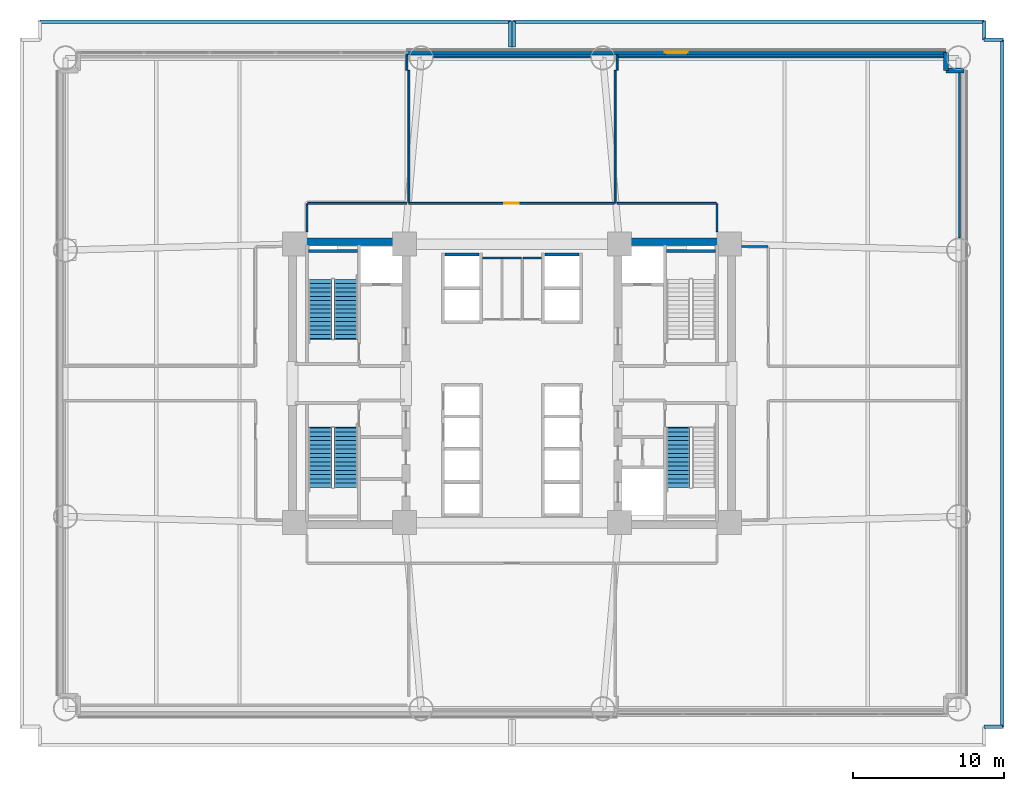
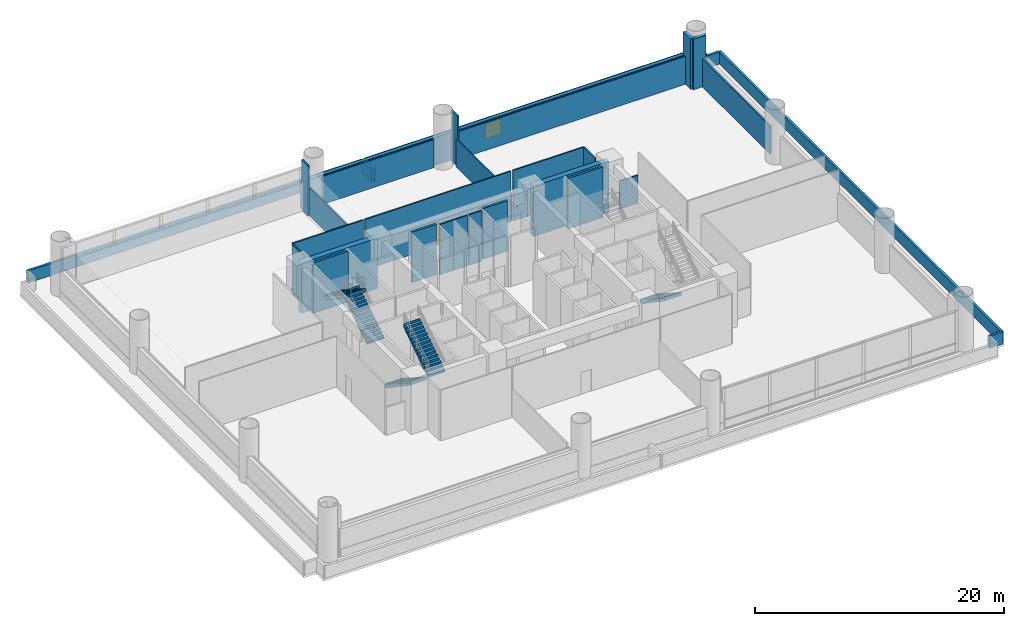
# One storey, part 8 of 12: 33 walls, 5 stair flights, 1 door, 1 window, 2 openings, 3 elements without a shape of their own.
"""IFC4 building model written with IfcOpenShell, lengths in metres."""

from ifc_helpers import new_model, si_unit, direction, frame, frame_2d, origin, place, context, subcontext, project, spatial, polyline, rectangle, outline, extrude, source, transform, mapped, material, layer, layer_set, type_object, element, fill, aggregate, save


model = new_model("IFC4")

# Units and contexts
model_context = context("Model", 3, precision=1e-05, world=origin(), true_north=direction((0.0, 1.0)))
body_context = subcontext(model_context, "Body", "Model", "MODEL_VIEW")
ifc_project = project(units=[si_unit("LENGTHUNIT", "METRE"), si_unit("AREAUNIT", "SQUARE_METRE"), si_unit("VOLUMEUNIT", "CUBIC_METRE"), si_unit("PLANEANGLEUNIT", "RADIAN"), si_unit("MASSUNIT", "GRAM", prefix="KILO")], contexts=[model_context])

# Site, building, storey
site_placement = place(None, origin())
site = spatial("IfcSite", under=ifc_project, at=site_placement, CompositionType="ELEMENT")
building_placement = place(site_placement, origin())
building = spatial("IfcBuilding", under=site, at=building_placement, Name="Zahravan Cultural Tower", CompositionType="ELEMENT")
storey_placement = place(building_placement, frame((0.0, 0.0, 18.0)))
storey = spatial("IfcBuildingStorey", under=building, at=storey_placement, Name="L03", CompositionType="ELEMENT", Elevation=18.0)

# Wall, opening, window
ifc_material_1 = material(Name="Precast concrete C40/50", Category="concrete")
ifc_layer_1 = layer(ifc_material_1, 0.320068359375)
ifc_layer_set_1 = layer_set([ifc_layer_1], Name="Precast concrete C40/50")
wall_type_1 = type_object("IfcWallType", Name="EW-TC-320", PredefinedType="SOLIDWALL", material=ifc_layer_set_1)
wall_1_placement = place(storey_placement, frame((29.034912109375, 48.860107421875, 0.0), z_axis=(0.0, 0.0, 1.0), x_axis=(1.0, 0.0, 0.0)))
wall_1 = element("IfcWall", 1, at=wall_1_placement, inside=storey, type_object=wall_type_1, Name="L03 Exterior Masonry Frame Wall 10", PredefinedType="SOLIDWALL", context=body_context, shape_type="SweptSolid", body=[
    extrude(rectangle(XDim=35.625, YDim=0.320068359375, at=frame_2d((17.8125, 0.0))), origin(), (0.0, 0.0, 1.0), 2.741943359375),
])
opening_1_placement = place(wall_1_placement, frame((17.06201171875, 0.0, 0.85009765625)))
opening_1 = element("IfcOpeningElement", 2, at=opening_1_placement, cuts=wall_1, Name="Opening WN-03", PredefinedType="OPENING", context=body_context, shape_type="SweptSolid", body=[
    extrude(rectangle(XDim=1.5, YDim=1.5, at=frame_2d((0.75, 0.75))), frame((0.0, 0.169921875, 0.0), z_axis=(0.0, -1.0, 0.0), x_axis=(1.0, 0.0, 0.0)), (0.0, 0.0, 1.0), 0.340087890625),
])
ifc_material_2 = material(Name="Low-E solar-control double glazing", Category="glass")
window_type = type_object("IfcWindowType", Name="WN-REC-1500X1500", PartitioningType="SINGLE_PANEL", PredefinedType="WINDOW", material=ifc_material_2)
shared_shape_1 = source(origin(), body_context, "Body", "SweptSolid", [
    extrude(rectangle(XDim=1.5, YDim=1.5, at=frame_2d((0.75, 0.75))), frame((0.0, 0.030029296875, 0.0), z_axis=(0.0, -1.0, 0.0), x_axis=(1.0, 0.0, 0.0)), (0.0, 0.0, 1.0), 0.06005859375),
])
window_placement = place(opening_1_placement, origin())
window = element("IfcWindow", 3, at=window_placement, inside=storey, type_object=window_type, Name="L03 Recessed Solar Window 01", OverallHeight=1.5, OverallWidth=1.5, PartitioningType="SINGLE_PANEL", PredefinedType="WINDOW", context=body_context, shape_type="MappedRepresentation", body=[
    mapped(shared_shape_1, transform((0.0, 0.0, 0.0), x_axis=(1.0, 0.0, 0.0), y_axis=(0.0, 1.0, 0.0), z_axis=(0.0, 0.0, 1.0), scale=1.0)),
])
fill(opening_1, window)

# Wall, opening, door
ifc_material_3 = material(Name="Gypsum plasterboard partition")
ifc_layer_2 = layer(ifc_material_3, 0.125)
ifc_layer_set_2 = layer_set([ifc_layer_2], Name="Gypsum plasterboard partition")
wall_type_2 = type_object("IfcWallType", Name="W-PART-125", PredefinedType="PARTITIONING", material=ifc_layer_set_2)
wall_2_placement = place(storey_placement, frame((42.742431640625, 38.889892578125, 0.0), z_axis=(0.0, 0.0, 1.0), x_axis=(-1.0, 0.0, 0.0)))
wall_2 = element("IfcWall", 4, at=wall_2_placement, inside=storey, type_object=wall_type_2, Name="L03 Interior Wall 081", PredefinedType="PARTITIONING", context=body_context, shape_type="SweptSolid", body=[
    extrude(rectangle(XDim=13.552490234375, YDim=0.125, at=frame_2d((6.7763671875, 0.0))), origin(), (0.0, 0.0, 1.0), 4.949951171875),
])
opening_2_placement = place(wall_2_placement, frame((6.30126953125, 0.0, 0.0)))
opening_2 = element("IfcOpeningElement", 5, at=opening_2_placement, cuts=wall_2, Name="Opening D-L03-21", PredefinedType="OPENING", context=body_context, shape_type="SweptSolid", body=[
    extrude(rectangle(XDim=0.949951171875, YDim=2.14990234375, at=frame_2d((0.47509765625, 1.074951171875))), frame((0.0, 0.072509765625, 0.0), z_axis=(0.0, -1.0, 0.0), x_axis=(1.0, 0.0, 0.0)), (0.0, 0.0, 1.0), 0.14501953125),
])
ifc_material_4 = material(Name="Anodised bronze-aluminium mullion", Category="aluminium")
door_type = type_object("IfcDoorType", Name="DR-ROOM-950", OperationType="NOTDEFINED", PredefinedType="DOOR", material=ifc_material_4)
shared_shape_2 = source(origin(), body_context, "Body", "SweptSolid", [
    extrude(rectangle(XDim=0.949951171875, YDim=2.14990234375, at=frame_2d((0.47509765625, 1.074951171875))), frame((0.0, 0.02490234375, 0.0), z_axis=(0.0, -1.0, 0.0), x_axis=(1.0, 0.0, 0.0)), (0.0, 0.0, 1.0), 0.050048828125),
])
door_placement = place(opening_2_placement, origin())
door = element("IfcDoor", 6, at=door_placement, inside=storey, type_object=door_type, Name="L03 Door D-L03-21", OperationType="SINGLE_SWING_LEFT", OverallHeight=2.14990234375, OverallWidth=0.949951171875, PredefinedType="DOOR", context=body_context, shape_type="MappedRepresentation", body=[
    mapped(shared_shape_2, transform((0.0, 0.0, 0.0), x_axis=(1.0, 0.0, 0.0), y_axis=(0.0, 1.0, 0.0), z_axis=(0.0, 0.0, 1.0), scale=1.0)),
])
fill(opening_2, door)

# Walls
ifc_material_5 = material(Name="Concrete C60/75", Category="concrete")
ifc_layer_3 = layer(ifc_material_5, 0.5)
ifc_layer_set_3 = layer_set([ifc_layer_3], Name="Concrete C60/75")
wall_type_3 = type_object("IfcWallType", Name="CW-SHEAR-500-C60", PredefinedType="SHEAR", material=ifc_layer_set_3)
shared_shape_3 = source(origin(), body_context, "Body", "SweptSolid", [
    extrude(rectangle(XDim=7.0, YDim=0.5, at=frame_2d((3.5, 0.0))), origin(), (0.0, 0.0, 1.0), 4.949951171875),
])
for number, where, z_axis, x_axis, name in (
    (7, (21.75, 36.35009765625, 0.0), (0.0, 0.0, 1.0), (1.0, 0.0, 0.0), "L03 Core Shear Wall CW-W-N-L03"),
    (8, (43.25, 36.35009765625, 0.0), (0.0, 0.0, 1.0), (1.0, 0.0, 0.0), "L03 Core Shear Wall CW-E-N-L03"),
):
    element("IfcWall", number, at=place(storey_placement, frame(where, z_axis=z_axis, x_axis=x_axis)), inside=storey, type_object=wall_type_3, Name=name, PredefinedType="SHEAR", context=body_context, shape_type="MappedRepresentation", body=[
        mapped(shared_shape_3, transform((0.0, 0.0, 0.0), x_axis=(1.0, 0.0, 0.0), y_axis=(0.0, 1.0, 0.0), z_axis=(0.0, 0.0, 1.0), scale=1.0)),
    ])
ifc_layer_4 = layer(ifc_material_1, 0.219970703125)
ifc_layer_set_4 = layer_set([ifc_layer_4], Name="Precast concrete C40/50")
wall_type_4 = type_object("IfcWallType", Name="EW-PARAPET-220", PredefinedType="PARAPET", material=ifc_layer_set_4)
shared_shape_4 = source(origin(), body_context, "Body", "SweptSolid", [
    extrude(rectangle(XDim=31.079833984375, YDim=0.219970703125, at=frame_2d((15.5400390625, 0.0))), origin(), (0.0, 0.0, 1.0), 1.199951171875),
])
for number, where, z_axis, x_axis, name in (
    (9, (4.81005859375, 50.889892578125, 0.0), (0.0, 0.0, 1.0), (1.0, 0.0, 0.0), "L03 Setback Roof Parapet 7"),
    (10, (36.110107421875, 50.889892578125, 0.0), (0.0, 0.0, 1.0), (1.0, 0.0, 0.0), "L03 Setback Roof Parapet 4"),
):
    element("IfcWall", number, at=place(storey_placement, frame(where, z_axis=z_axis, x_axis=x_axis)), inside=storey, type_object=wall_type_4, Name=name, PredefinedType="PARAPET", context=body_context, shape_type="MappedRepresentation", body=[
        mapped(shared_shape_4, transform((0.0, 0.0, 0.0), x_axis=(1.0, 0.0, 0.0), y_axis=(0.0, 1.0, 0.0), z_axis=(0.0, 0.0, 1.0), scale=1.0)),
    ])
shared_shape_5 = source(origin(), body_context, "Body", "SweptSolid", [
    extrude(rectangle(XDim=1.199951171875, YDim=0.219970703125, at=frame_2d((0.60009765625, 0.0))), origin(), (0.0, 0.0, 1.0), 1.199951171875),
])
for number, where, z_axis, x_axis, name in (
    (11, (67.18994140625, 50.889892578125, 0.0), (0.0, 0.0, 1.0), (0.0, -1.0, 0.0), "L03 Setback Roof Parapet 5"),
    (12, (67.18994140625, 49.68994140625, 0.0), (0.0, 0.0, 1.0), (1.0, 0.0, 0.0), "L03 Setback Roof Parapet 6"),
    (13, (68.389892578125, 4.31005859375, 0.0), (0.0, 0.0, 1.0), (-1.0, 0.0, 0.0), "L03 Setback Roof Parapet 8"),
):
    element("IfcWall", number, at=place(storey_placement, frame(where, z_axis=z_axis, x_axis=x_axis)), inside=storey, type_object=wall_type_4, Name=name, PredefinedType="PARAPET", context=body_context, shape_type="MappedRepresentation", body=[
        mapped(shared_shape_5, transform((0.0, 0.0, 0.0), x_axis=(1.0, 0.0, 0.0), y_axis=(0.0, 1.0, 0.0), z_axis=(0.0, 0.0, 1.0), scale=1.0)),
    ])
shared_shape_6 = source(origin(), body_context, "Body", "SweptSolid", [
    extrude(rectangle(XDim=45.3798828125, YDim=0.219970703125, at=frame_2d((22.68994140625, 0.0))), origin(), (0.0, 0.0, 1.0), 1.199951171875),
])
wall_3_placement = place(storey_placement, frame((68.389892578125, 49.68994140625, 0.0), z_axis=(0.0, 0.0, 1.0), x_axis=(0.0, -1.0, 0.0)))
element("IfcWall", 14, at=wall_3_placement, inside=storey, type_object=wall_type_4, Name="L03 Setback Roof Parapet 7", PredefinedType="PARAPET", context=body_context, shape_type="MappedRepresentation", body=[
    mapped(shared_shape_6, transform((0.0, 0.0, 0.0), x_axis=(1.0, 0.0, 0.0), y_axis=(0.0, 1.0, 0.0), z_axis=(0.0, 0.0, 1.0), scale=1.0)),
])
shared_shape_7 = source(origin(), body_context, "Body", "SweptSolid", [
    extrude(rectangle(XDim=1.669921875, YDim=0.219970703125, at=frame_2d((0.8349609375, 0.0))), origin(), (0.0, 0.0, 1.0), 1.199951171875),
])
for number, where, z_axis, x_axis, name in (
    (15, (35.889892578125, 50.889892578125, 0.0), (0.0, 0.0, 1.0), (0.0, -1.0, 0.0), "L03 Setback Roof Parapet 8"),
    (16, (36.110107421875, 49.219970703125, 0.0), (0.0, 0.0, 1.0), (0.0, 1.0, 0.0), "L03 Setback Roof Parapet 3"),
):
    element("IfcWall", number, at=place(storey_placement, frame(where, z_axis=z_axis, x_axis=x_axis)), inside=storey, type_object=wall_type_4, Name=name, PredefinedType="PARAPET", context=body_context, shape_type="MappedRepresentation", body=[
        mapped(shared_shape_7, transform((0.0, 0.0, 0.0), x_axis=(1.0, 0.0, 0.0), y_axis=(0.0, 1.0, 0.0), z_axis=(0.0, 0.0, 1.0), scale=1.0)),
    ])
shared_shape_8 = source(origin(), body_context, "Body", "SweptSolid", [
    extrude(rectangle(XDim=1.2001953125, YDim=0.320068359375, at=frame_2d((0.60009765625, 0.0))), origin(), (0.0, 0.0, 1.0), 4.949951171875),
])
for number, where, z_axis, x_axis, name in (
    (17, (64.659912109375, 48.860107421875, 0.0), (0.0, 0.0, 1.0), (0.0, -1.0, 0.0), "L03 Exterior Masonry Frame Wall 11"),
    (18, (64.659912109375, 47.659912109375, 0.0), (0.0, 0.0, 1.0), (1.0, 0.0, 0.0), "L03 Exterior Masonry Frame Wall 12"),
):
    element("IfcWall", number, at=place(storey_placement, frame(where, z_axis=z_axis, x_axis=x_axis)), inside=storey, type_object=wall_type_1, Name=name, PredefinedType="SOLIDWALL", context=body_context, shape_type="MappedRepresentation", body=[
        mapped(shared_shape_8, transform((0.0, 0.0, 0.0), x_axis=(1.0, 0.0, 0.0), y_axis=(0.0, 1.0, 0.0), z_axis=(0.0, 0.0, 1.0), scale=1.0)),
    ])
ifc_material_6 = material(Name="Concrete C45/55", Category="concrete")
ifc_layer_5 = layer(ifc_material_6, 0.199951171875)
ifc_layer_set_5 = layer_set([ifc_layer_5], Name="Concrete C45/55")
wall_type_5 = type_object("IfcWallType", Name="W-SHAFT-200", PredefinedType="SOLIDWALL", material=ifc_layer_set_5)
shared_shape_9 = source(origin(), body_context, "Body", "SweptSolid", [
    extrude(rectangle(XDim=3.25, YDim=0.199951171875, at=frame_2d((1.625, 0.0))), origin(), (0.0, 0.0, 1.0), 4.949951171875),
])
for number, where, z_axis, x_axis, name in (
    (19, (22.550048828125, 35.75, 0.0), (0.0, 0.0, 1.0), (1.0, 0.0, 0.0), "L03 Interior Wall 017"),
    (20, (46.199951171875, 35.75, 0.0), (0.0, 0.0, 1.0), (1.0, 0.0, 0.0), "L03 Interior Wall 018"),
):
    element("IfcWall", number, at=place(storey_placement, frame(where, z_axis=z_axis, x_axis=x_axis)), inside=storey, type_object=wall_type_5, Name=name, PredefinedType="SOLIDWALL", context=body_context, shape_type="MappedRepresentation", body=[
        mapped(shared_shape_9, transform((0.0, 0.0, 0.0), x_axis=(1.0, 0.0, 0.0), y_axis=(0.0, 1.0, 0.0), z_axis=(0.0, 0.0, 1.0), scale=1.0)),
    ])
shared_shape_10 = source(origin(), body_context, "Body", "SweptSolid", [
    extrude(rectangle(XDim=2.260009765625, YDim=0.199951171875, at=frame_2d((1.1298828125, 0.0))), origin(), (0.0, 0.0, 1.0), 4.949951171875),
])
for number, where, z_axis, x_axis, name in (
    (21, (31.570068359375, 35.5, 0.0), (0.0, 0.0, 1.0), (1.0, 0.0, 0.0), "L03 Interior Wall 031"),
    (22, (38.169921875, 35.5, 0.0), (0.0, 0.0, 1.0), (1.0, 0.0, 0.0), "L03 Interior Wall 038"),
):
    element("IfcWall", number, at=place(storey_placement, frame(where, z_axis=z_axis, x_axis=x_axis)), inside=storey, type_object=wall_type_5, Name=name, PredefinedType="SOLIDWALL", context=body_context, shape_type="MappedRepresentation", body=[
        mapped(shared_shape_10, transform((0.0, 0.0, 0.0), x_axis=(1.0, 0.0, 0.0), y_axis=(0.0, 1.0, 0.0), z_axis=(0.0, 0.0, 1.0), scale=1.0)),
    ])
ifc_layer_6 = layer(ifc_material_3, 0.114990234375)
ifc_layer_set_6 = layer_set([ifc_layer_6], Name="Gypsum plasterboard partition")
wall_type_6 = type_object("IfcWallType", Name="W-WC-115", PredefinedType="PARTITIONING", material=ifc_layer_set_6)
shared_shape_11 = source(origin(), body_context, "Body", "SweptSolid", [
    extrude(rectangle(XDim=1.20263671875, YDim=0.114990234375, at=frame_2d((0.601318359375, 0.0))), origin(), (0.0, 0.0, 1.0), 4.949951171875),
])
wall_4_placement = place(storey_placement, frame((36.742431640625, 35.280029296875, 0.0), z_axis=(0.0, 0.0, 1.0), x_axis=(1.0, 0.0, 0.0)))
element("IfcWall", 23, at=wall_4_placement, inside=storey, type_object=wall_type_6, Name="L03 Interior Wall 069", PredefinedType="PARTITIONING", context=body_context, shape_type="MappedRepresentation", body=[
    mapped(shared_shape_11, transform((0.0, 0.0, 0.0), x_axis=(1.0, 0.0, 0.0), y_axis=(0.0, 1.0, 0.0), z_axis=(0.0, 0.0, 1.0), scale=1.0)),
])
shared_shape_12 = source(origin(), body_context, "Body", "SweptSolid", [
    extrude(rectangle(XDim=1.28515625, YDim=0.114990234375, at=frame_2d((0.642578125, 0.0))), origin(), (0.0, 0.0, 1.0), 4.949951171875),
])
wall_5_placement = place(storey_placement, frame((34.054931640625, 35.280029296875, 0.0), z_axis=(0.0, 0.0, 1.0), x_axis=(1.0, 0.0, 0.0)))
element("IfcWall", 24, at=wall_5_placement, inside=storey, type_object=wall_type_6, Name="L03 Interior Wall 071", PredefinedType="PARTITIONING", context=body_context, shape_type="MappedRepresentation", body=[
    mapped(shared_shape_12, transform((0.0, 0.0, 0.0), x_axis=(1.0, 0.0, 0.0), y_axis=(0.0, 1.0, 0.0), z_axis=(0.0, 0.0, 1.0), scale=1.0)),
])
shared_shape_13 = source(origin(), body_context, "Body", "SweptSolid", [
    extrude(rectangle(XDim=1.27734375, YDim=0.114990234375, at=frame_2d((0.638671875, 0.0))), origin(), (0.0, 0.0, 1.0), 4.949951171875),
])
wall_6_placement = place(storey_placement, frame((35.340087890625, 35.280029296875, 0.0), z_axis=(0.0, 0.0, 1.0), x_axis=(1.0, 0.0, 0.0)))
element("IfcWall", 25, at=wall_6_placement, inside=storey, type_object=wall_type_6, Name="L03 Interior Wall 074", PredefinedType="PARTITIONING", context=body_context, shape_type="MappedRepresentation", body=[
    mapped(shared_shape_13, transform((0.0, 0.0, 0.0), x_axis=(1.0, 0.0, 0.0), y_axis=(0.0, 1.0, 0.0), z_axis=(0.0, 0.0, 1.0), scale=1.0)),
])
shared_shape_14 = source(origin(), body_context, "Body", "SweptSolid", [
    extrude(rectangle(XDim=10.35986328125, YDim=0.125, at=frame_2d((5.179931640625, 0.0))), origin(), (0.0, 0.0, 1.0), 2.741943359375),
])
wall_7_placement = place(storey_placement, frame((30.820068359375, 48.56005859375, 0.0), z_axis=(0.0, 0.0, 1.0), x_axis=(1.0, 0.0, 0.0)))
element("IfcWall", 26, at=wall_7_placement, inside=storey, type_object=wall_type_2, Name="L03 Interior Wall 083", PredefinedType="PARTITIONING", context=body_context, shape_type="MappedRepresentation", body=[
    mapped(shared_shape_14, transform((0.0, 0.0, 0.0), x_axis=(1.0, 0.0, 0.0), y_axis=(0.0, 1.0, 0.0), z_axis=(0.0, 0.0, 1.0), scale=1.0)),
])
shared_shape_15 = source(origin(), body_context, "Body", "SweptSolid", [
    extrude(rectangle(XDim=8.7900390625, YDim=0.125, at=frame_2d((4.39501953125, 0.0))), origin(), (0.0, 0.0, 1.0), 2.741943359375),
])
wall_8_placement = place(storey_placement, frame((42.81005859375, 47.679931640625, 0.0), z_axis=(0.0, 0.0, 1.0), x_axis=(0.0, -1.0, 0.0)))
element("IfcWall", 27, at=wall_8_placement, inside=storey, type_object=wall_type_2, Name="L03 Interior Wall 080", PredefinedType="PARTITIONING", context=body_context, shape_type="MappedRepresentation", body=[
    mapped(shared_shape_15, transform((0.0, 0.0, 0.0), x_axis=(1.0, 0.0, 0.0), y_axis=(0.0, 1.0, 0.0), z_axis=(0.0, 0.0, 1.0), scale=1.0)),
])
shared_shape_16 = source(origin(), body_context, "Body", "SweptSolid", [
    extrude(rectangle(XDim=8.722412109375, YDim=0.125, at=frame_2d((4.361328125, 0.0))), origin(), (0.0, 0.0, 1.0), 2.741943359375),
])
wall_9_placement = place(storey_placement, frame((29.18994140625, 38.95751953125, 0.0), z_axis=(0.0, 0.0, 1.0), x_axis=(0.0, 1.0, 0.0)))
element("IfcWall", 28, at=wall_9_placement, inside=storey, type_object=wall_type_2, Name="L03 Interior Wall 082", PredefinedType="PARTITIONING", context=body_context, shape_type="MappedRepresentation", body=[
    mapped(shared_shape_16, transform((0.0, 0.0, 0.0), x_axis=(1.0, 0.0, 0.0), y_axis=(0.0, 1.0, 0.0), z_axis=(0.0, 0.0, 1.0), scale=1.0)),
])
shared_shape_17 = source(origin(), body_context, "Body", "SweptSolid", [
    extrude(rectangle(XDim=10.875, YDim=0.125, at=frame_2d((5.4375, 0.0))), origin(), (0.0, 0.0, 1.0), 2.741943359375),
])
wall_10_placement = place(storey_placement, frame((65.56005859375, 47.4951171875, 0.0), z_axis=(0.0, 0.0, 1.0), x_axis=(0.0, -1.0, 0.0)))
element("IfcWall", 29, at=wall_10_placement, inside=storey, type_object=wall_type_2, Name="L03 Interior Wall 117", PredefinedType="PARTITIONING", context=body_context, shape_type="MappedRepresentation", body=[
    mapped(shared_shape_17, transform((0.0, 0.0, 0.0), x_axis=(1.0, 0.0, 0.0), y_axis=(0.0, 1.0, 0.0), z_axis=(0.0, 0.0, 1.0), scale=1.0)),
])
shared_shape_18 = source(origin(), body_context, "Body", "SweptSolid", [
    extrude(rectangle(XDim=6.55419921875, YDim=0.125, at=frame_2d((3.277099609375, 0.0))), origin(), (0.0, 0.0, 1.0), 4.949951171875),
])
wall_11_placement = place(storey_placement, frame((49.494140625, 38.889892578125, 0.0), z_axis=(0.0, 0.0, 1.0), x_axis=(-1.0, 0.0, 0.0)))
element("IfcWall", 30, at=wall_11_placement, inside=storey, type_object=wall_type_2, Name="L03 Interior Wall 114", PredefinedType="PARTITIONING", context=body_context, shape_type="MappedRepresentation", body=[
    mapped(shared_shape_18, transform((0.0, 0.0, 0.0), x_axis=(1.0, 0.0, 0.0), y_axis=(0.0, 1.0, 0.0), z_axis=(0.0, 0.0, 1.0), scale=1.0)),
])
shared_shape_19 = source(origin(), body_context, "Body", "SweptSolid", [
    extrude(rectangle(XDim=1.01513671875, YDim=0.125, at=frame_2d((0.507568359375, 0.0))), origin(), (0.0, 0.0, 1.0), 4.949951171875),
])
for number, where, z_axis, x_axis, name in (
    (31, (29.06005859375, 48.695068359375, 0.0), (0.0, 0.0, 1.0), (0.0, -1.0, 0.0), "L03 Interior Wall 092"),
    (32, (42.93994140625, 47.679931640625, 0.0), (0.0, 0.0, 1.0), (0.0, 1.0, 0.0), "L03 Interior Wall 115"),
):
    element("IfcWall", number, at=place(storey_placement, frame(where, z_axis=z_axis, x_axis=x_axis)), inside=storey, type_object=wall_type_2, Name=name, PredefinedType="PARTITIONING", context=body_context, shape_type="MappedRepresentation", body=[
        mapped(shared_shape_19, transform((0.0, 0.0, 0.0), x_axis=(1.0, 0.0, 0.0), y_axis=(0.0, 1.0, 0.0), z_axis=(0.0, 0.0, 1.0), scale=1.0)),
    ])
shared_shape_20 = source(origin(), body_context, "Body", "SweptSolid", [
    extrude(rectangle(XDim=6.5556640625, YDim=0.125, at=frame_2d((3.27783203125, 0.0))), origin(), (0.0, 0.0, 1.0), 4.949951171875),
])
wall_12_placement = place(storey_placement, frame((29.06005859375, 38.889892578125, 0.0), z_axis=(0.0, 0.0, 1.0), x_axis=(-1.0, 0.0, 0.0)))
element("IfcWall", 33, at=wall_12_placement, inside=storey, type_object=wall_type_2, Name="L03 Interior Wall 093", PredefinedType="PARTITIONING", context=body_context, shape_type="MappedRepresentation", body=[
    mapped(shared_shape_20, transform((0.0, 0.0, 0.0), x_axis=(1.0, 0.0, 0.0), y_axis=(0.0, 1.0, 0.0), z_axis=(0.0, 0.0, 1.0), scale=1.0)),
])
shared_shape_21 = source(origin(), body_context, "Body", "SweptSolid", [
    extrude(rectangle(XDim=1.82568359375, YDim=0.125, at=frame_2d((0.912841796875, 0.0))), origin(), (0.0, 0.0, 1.0), 4.949951171875),
])
wall_13_placement = place(storey_placement, frame((22.4599609375, 38.845703125, 0.0), z_axis=(0.0, 0.0, 1.0), x_axis=(0.0, -1.0, 0.0)))
element("IfcWall", 34, at=wall_13_placement, inside=storey, type_object=wall_type_2, Name="L03 Interior Wall 094", PredefinedType="PARTITIONING", context=body_context, shape_type="MappedRepresentation", body=[
    mapped(shared_shape_21, transform((0.0, 0.0, 0.0), x_axis=(1.0, 0.0, 0.0), y_axis=(0.0, 1.0, 0.0), z_axis=(0.0, 0.0, 1.0), scale=1.0)),
])
shared_shape_22 = source(origin(), body_context, "Body", "SweptSolid", [
    extrude(rectangle(XDim=21.487548828125, YDim=0.125, at=frame_2d((10.74365234375, 0.0))), origin(), (0.0, 0.0, 1.0), 2.741943359375),
])
wall_14_placement = place(storey_placement, frame((43.007568359375, 48.56005859375, 0.0), z_axis=(0.0, 0.0, 1.0), x_axis=(1.0, 0.0, 0.0)))
element("IfcWall", 35, at=wall_14_placement, inside=storey, type_object=wall_type_2, Name="L03 Interior Wall 116", PredefinedType="PARTITIONING", context=body_context, shape_type="MappedRepresentation", body=[
    mapped(shared_shape_22, transform((0.0, 0.0, 0.0), x_axis=(1.0, 0.0, 0.0), y_axis=(0.0, 1.0, 0.0), z_axis=(0.0, 0.0, 1.0), scale=1.0)),
])
shared_shape_23 = source(origin(), body_context, "Body", "SweptSolid", [
    extrude(rectangle(XDim=1.832275390625, YDim=0.125, at=frame_2d((0.916015625, 0.0))), origin(), (0.0, 0.0, 1.0), 4.949951171875),
])
wall_15_placement = place(storey_placement, frame((49.539794921875, 37.02001953125, 0.0), z_axis=(0.0, 0.0, 1.0), x_axis=(-0.000133244502, 0.999999991123, 0.0)))
element("IfcWall", 36, at=wall_15_placement, inside=storey, type_object=wall_type_2, Name="L03 Interior Wall 113", PredefinedType="PARTITIONING", context=body_context, shape_type="MappedRepresentation", body=[
    mapped(shared_shape_23, transform((0.0, 0.0, 0.0), x_axis=(1.0, 0.0, 0.0), y_axis=(0.0, 1.0, 0.0), z_axis=(0.0, 0.0, 1.0), scale=1.0)),
])
shared_shape_24 = source(origin(), body_context, "Body", "SweptSolid", [
    extrude(rectangle(XDim=1.7255859375, YDim=0.125, at=frame_2d((0.86279296875, 0.0))), origin(), (0.0, 0.0, 1.0), 2.741943359375),
])
wall_16_placement = place(storey_placement, frame((52.8955078125, 36.0400390625, 0.0), z_axis=(0.0, 0.0, 1.0), x_axis=(-1.0, 0.0, 0.0)))
element("IfcWall", 37, at=wall_16_placement, inside=storey, type_object=wall_type_2, Name="L03 Interior Wall 112", PredefinedType="PARTITIONING", context=body_context, shape_type="MappedRepresentation", body=[
    mapped(shared_shape_24, transform((0.0, 0.0, 0.0), x_axis=(1.0, 0.0, 0.0), y_axis=(0.0, 1.0, 0.0), z_axis=(0.0, 0.0, 1.0), scale=1.0)),
])

# Stair, stair flights
stair_type = type_object("IfcStairType", Name="STR-DL-1550-540", PredefinedType="HALF_TURN_STAIR", material=ifc_material_6)
stair_1_placement = place(storey_placement, origin())
stair_1 = element("IfcStair", 38, at=stair_1_placement, inside=storey, type_object=stair_type, Name="L03 West Core North Exit Stair ST-W1", PredefinedType="HALF_TURN_STAIR")
stair_flight_type = type_object("IfcStairFlightType", Name="FLG-DL-1550-540", PredefinedType="STRAIGHT", material=ifc_material_6)
stair_flight_1_placement = place(storey_placement, frame((25.02490234375, 29.949951171875, 0.0), z_axis=(0.0, 0.0, 1.0), x_axis=(0.0, 1.0, 0.0)))
stair_flight_1 = element("IfcStairFlight", 39, at=stair_flight_1_placement, type_object=stair_flight_type, Name="ST-W1 flight 1", NumberOfRisers=15, NumberOfTreads=14, PredefinedType="STRAIGHT", RiserHeight=0.18, TreadLength=0.28, context=body_context, shape_type="SweptSolid", body=[
    extrude(outline(polyline([(-0.06494140625, -0.139892578125), (-0.06494140625, 0.0), (0.0, 0.0), (0.0, 0.179931640625), (0.280029296875, 0.179931640625), (0.280029296875, 0.360107421875), (0.56005859375, 0.360107421875), (0.56005859375, 0.5400390625), (0.840087890625, 0.5400390625), (0.840087890625, 0.719970703125), (1.1201171875, 0.719970703125), (1.1201171875, 0.89990234375), (1.39990234375, 0.89990234375), (1.39990234375, 1.080078125), (1.679931640625, 1.080078125), (1.679931640625, 1.260009765625), (1.9599609375, 1.260009765625), (1.9599609375, 1.43994140625), (2.239990234375, 1.43994140625), (2.239990234375, 1.6201171875), (2.52001953125, 1.6201171875), (2.52001953125, 1.800048828125), (2.800048828125, 1.800048828125), (2.800048828125, 1.97998046875), (3.080078125, 1.97998046875), (3.080078125, 2.159912109375), (3.360107421875, 2.159912109375), (3.360107421875, 2.340087890625), (3.639892578125, 2.340087890625), (3.639892578125, 2.52001953125), (3.919921875, 2.52001953125), (3.919921875, 2.699951171875), (3.985107421875, 2.699951171875), (3.985107421875, 2.550048828125), (3.919921875, 2.341796875), (0.277099609375, -0.139892578125), (-0.06494140625, -0.139892578125)])), frame((0.0, 0.77490234375, 0.0), z_axis=(0.0, -1.0, 0.0), x_axis=(1.0, 0.0, 0.0)), (0.0, 0.0, 1.0), 1.550048828125),
])
stair_flight_2_placement = place(storey_placement, frame((23.324951171875, 33.8701171875, 2.699951171875), z_axis=(0.0, 0.0, 1.0), x_axis=(0.0, -1.0, 0.0)))
stair_flight_2 = element("IfcStairFlight", 40, at=stair_flight_2_placement, type_object=stair_flight_type, Name="ST-W1 flight 2", NumberOfRisers=15, NumberOfTreads=14, PredefinedType="STRAIGHT", RiserHeight=0.18, TreadLength=0.28, context=body_context, shape_type="SweptSolid", body=[
    extrude(outline(polyline([(-0.06494140625, -0.139892578125), (-0.06494140625, 0.0), (0.0, 0.0), (0.0, 0.179931640625), (0.280029296875, 0.179931640625), (0.280029296875, 0.360107421875), (0.56005859375, 0.360107421875), (0.56005859375, 0.5400390625), (0.840087890625, 0.5400390625), (0.840087890625, 0.719970703125), (1.1201171875, 0.719970703125), (1.1201171875, 0.89990234375), (1.39990234375, 0.89990234375), (1.39990234375, 1.080078125), (1.679931640625, 1.080078125), (1.679931640625, 1.260009765625), (1.9599609375, 1.260009765625), (1.9599609375, 1.43994140625), (2.239990234375, 1.43994140625), (2.239990234375, 1.6201171875), (2.52001953125, 1.6201171875), (2.52001953125, 1.800048828125), (2.800048828125, 1.800048828125), (2.800048828125, 1.97998046875), (3.080078125, 1.97998046875), (3.080078125, 2.159912109375), (3.360107421875, 2.159912109375), (3.360107421875, 2.340087890625), (3.639892578125, 2.340087890625), (3.639892578125, 2.52001953125), (3.919921875, 2.52001953125), (3.919921875, 2.699951171875), (3.985107421875, 2.699951171875), (3.985107421875, 2.550048828125), (3.919921875, 2.341796875), (0.277099609375, -0.139892578125), (-0.06494140625, -0.139892578125)])), frame((0.0, 0.77490234375, 0.0), z_axis=(0.0, -1.0, 0.0), x_axis=(1.0, 0.0, 0.0)), (0.0, 0.0, 1.0), 1.550048828125),
])
aggregate(stair_1, [stair_flight_1, stair_flight_2])

stair_2_placement = place(storey_placement, origin())
stair_2 = element("IfcStair", 41, at=stair_2_placement, inside=storey, type_object=stair_type, Name="L03 West Core South Exit Stair ST-W2", PredefinedType="HALF_TURN_STAIR")
stair_flight_3_placement = place(storey_placement, frame((23.324951171875, 24.050048828125, 0.0), z_axis=(0.0, 0.0, 1.0), x_axis=(0.0, -1.0, 0.0)))
stair_flight_3 = element("IfcStairFlight", 42, at=stair_flight_3_placement, type_object=stair_flight_type, Name="ST-W2 flight 1", NumberOfRisers=15, NumberOfTreads=14, PredefinedType="STRAIGHT", RiserHeight=0.18, TreadLength=0.28, context=body_context, shape_type="SweptSolid", body=[
    extrude(outline(polyline([(-0.06494140625, -0.139892578125), (-0.06494140625, 0.0), (0.0, 0.0), (0.0, 0.179931640625), (0.280029296875, 0.179931640625), (0.280029296875, 0.360107421875), (0.56005859375, 0.360107421875), (0.56005859375, 0.5400390625), (0.840087890625, 0.5400390625), (0.840087890625, 0.719970703125), (1.1201171875, 0.719970703125), (1.1201171875, 0.89990234375), (1.39990234375, 0.89990234375), (1.39990234375, 1.080078125), (1.679931640625, 1.080078125), (1.679931640625, 1.260009765625), (1.9599609375, 1.260009765625), (1.9599609375, 1.43994140625), (2.239990234375, 1.43994140625), (2.239990234375, 1.6201171875), (2.52001953125, 1.6201171875), (2.52001953125, 1.800048828125), (2.800048828125, 1.800048828125), (2.800048828125, 1.97998046875), (3.080078125, 1.97998046875), (3.080078125, 2.159912109375), (3.360107421875, 2.159912109375), (3.360107421875, 2.340087890625), (3.639892578125, 2.340087890625), (3.639892578125, 2.52001953125), (3.919921875, 2.52001953125), (3.919921875, 2.699951171875), (3.985107421875, 2.699951171875), (3.985107421875, 2.550048828125), (3.919921875, 2.341796875), (0.277099609375, -0.139892578125), (-0.06494140625, -0.139892578125)])), frame((0.0, 0.77490234375, 0.0), z_axis=(0.0, -1.0, 0.0), x_axis=(1.0, 0.0, 0.0)), (0.0, 0.0, 1.0), 1.550048828125),
])
stair_flight_4_placement = place(storey_placement, frame((25.02490234375, 20.1298828125, 2.699951171875), z_axis=(0.0, 0.0, 1.0), x_axis=(0.0, 1.0, 0.0)))
stair_flight_4 = element("IfcStairFlight", 43, at=stair_flight_4_placement, type_object=stair_flight_type, Name="ST-W2 flight 2", NumberOfRisers=15, NumberOfTreads=14, PredefinedType="STRAIGHT", RiserHeight=0.18, TreadLength=0.28, context=body_context, shape_type="SweptSolid", body=[
    extrude(outline(polyline([(-0.06494140625, -0.139892578125), (-0.06494140625, 0.0), (0.0, 0.0), (0.0, 0.179931640625), (0.280029296875, 0.179931640625), (0.280029296875, 0.360107421875), (0.56005859375, 0.360107421875), (0.56005859375, 0.5400390625), (0.840087890625, 0.5400390625), (0.840087890625, 0.719970703125), (1.1201171875, 0.719970703125), (1.1201171875, 0.89990234375), (1.39990234375, 0.89990234375), (1.39990234375, 1.080078125), (1.679931640625, 1.080078125), (1.679931640625, 1.260009765625), (1.9599609375, 1.260009765625), (1.9599609375, 1.43994140625), (2.239990234375, 1.43994140625), (2.239990234375, 1.6201171875), (2.52001953125, 1.6201171875), (2.52001953125, 1.800048828125), (2.800048828125, 1.800048828125), (2.800048828125, 1.97998046875), (3.080078125, 1.97998046875), (3.080078125, 2.159912109375), (3.360107421875, 2.159912109375), (3.360107421875, 2.340087890625), (3.639892578125, 2.340087890625), (3.639892578125, 2.52001953125), (3.919921875, 2.52001953125), (3.919921875, 2.699951171875), (3.985107421875, 2.699951171875), (3.985107421875, 2.550048828125), (3.919921875, 2.341796875), (0.277099609375, -0.139892578125), (-0.06494140625, -0.139892578125)])), frame((0.0, 0.77490234375, 0.0), z_axis=(0.0, -1.0, 0.0), x_axis=(1.0, 0.0, 0.0)), (0.0, 0.0, 1.0), 1.550048828125),
])
aggregate(stair_2, [stair_flight_3, stair_flight_4])

# Stair, stair flight
stair_3_placement = place(storey_placement, origin())
stair_3 = element("IfcStair", 44, at=stair_3_placement, inside=storey, type_object=stair_type, Name="L03 East Core South Exit Stair ST-E2", PredefinedType="HALF_TURN_STAIR")
stair_flight_5_placement = place(storey_placement, frame((46.97509765625, 24.050048828125, 0.0), z_axis=(0.0, 0.0, 1.0), x_axis=(0.0, -1.0, 0.0)))
stair_flight_5 = element("IfcStairFlight", 45, at=stair_flight_5_placement, type_object=stair_flight_type, Name="ST-E2 flight 1", NumberOfRisers=15, NumberOfTreads=14, PredefinedType="STRAIGHT", RiserHeight=0.18, TreadLength=0.28, context=body_context, shape_type="SweptSolid", body=[
    extrude(outline(polyline([(-0.06494140625, -0.139892578125), (-0.06494140625, 0.0), (0.0, 0.0), (0.0, 0.179931640625), (0.280029296875, 0.179931640625), (0.280029296875, 0.360107421875), (0.56005859375, 0.360107421875), (0.56005859375, 0.5400390625), (0.840087890625, 0.5400390625), (0.840087890625, 0.719970703125), (1.1201171875, 0.719970703125), (1.1201171875, 0.89990234375), (1.39990234375, 0.89990234375), (1.39990234375, 1.080078125), (1.679931640625, 1.080078125), (1.679931640625, 1.260009765625), (1.9599609375, 1.260009765625), (1.9599609375, 1.43994140625), (2.239990234375, 1.43994140625), (2.239990234375, 1.6201171875), (2.52001953125, 1.6201171875), (2.52001953125, 1.800048828125), (2.800048828125, 1.800048828125), (2.800048828125, 1.97998046875), (3.080078125, 1.97998046875), (3.080078125, 2.159912109375), (3.360107421875, 2.159912109375), (3.360107421875, 2.340087890625), (3.639892578125, 2.340087890625), (3.639892578125, 2.52001953125), (3.919921875, 2.52001953125), (3.919921875, 2.699951171875), (3.985107421875, 2.699951171875), (3.985107421875, 2.550048828125), (3.919921875, 2.341796875), (0.277099609375, -0.139892578125), (-0.06494140625, -0.139892578125)])), frame((0.0, 0.77490234375, 0.0), z_axis=(0.0, -1.0, 0.0), x_axis=(1.0, 0.0, 0.0)), (0.0, 0.0, 1.0), 1.550048828125),
])
aggregate(stair_3, [stair_flight_5])

save(model, "model.ifc")
